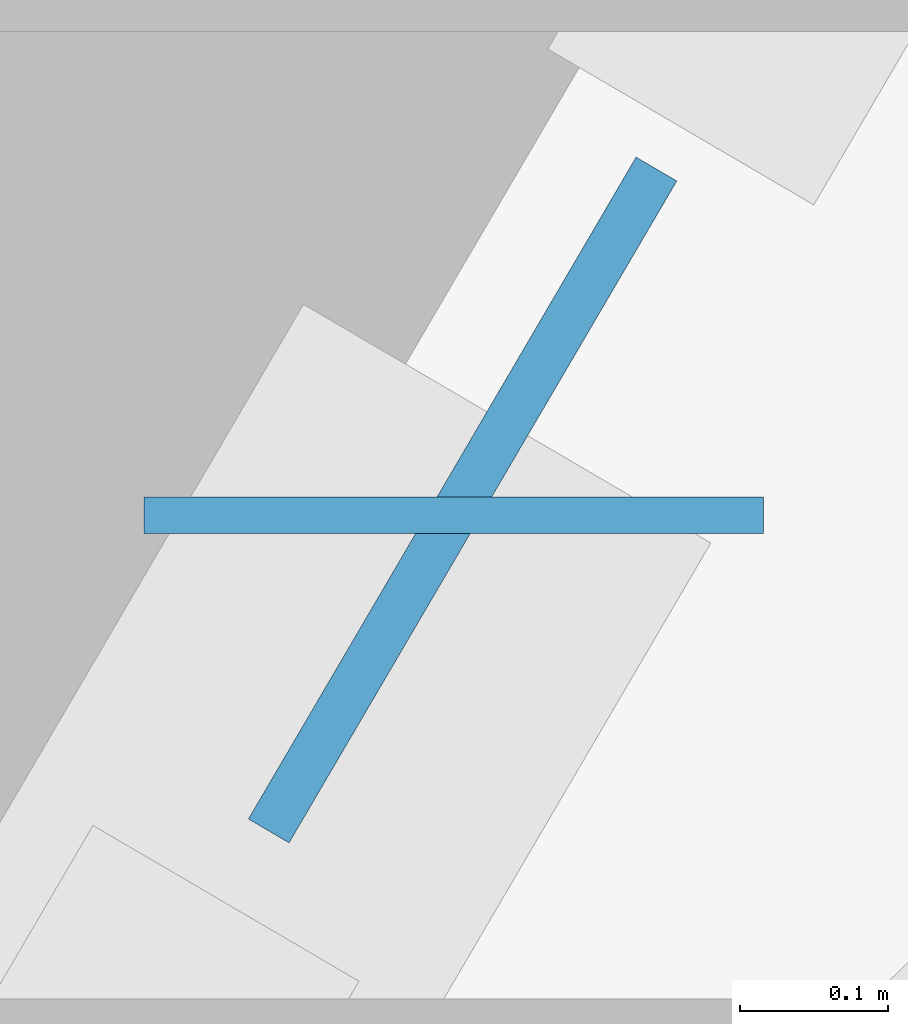
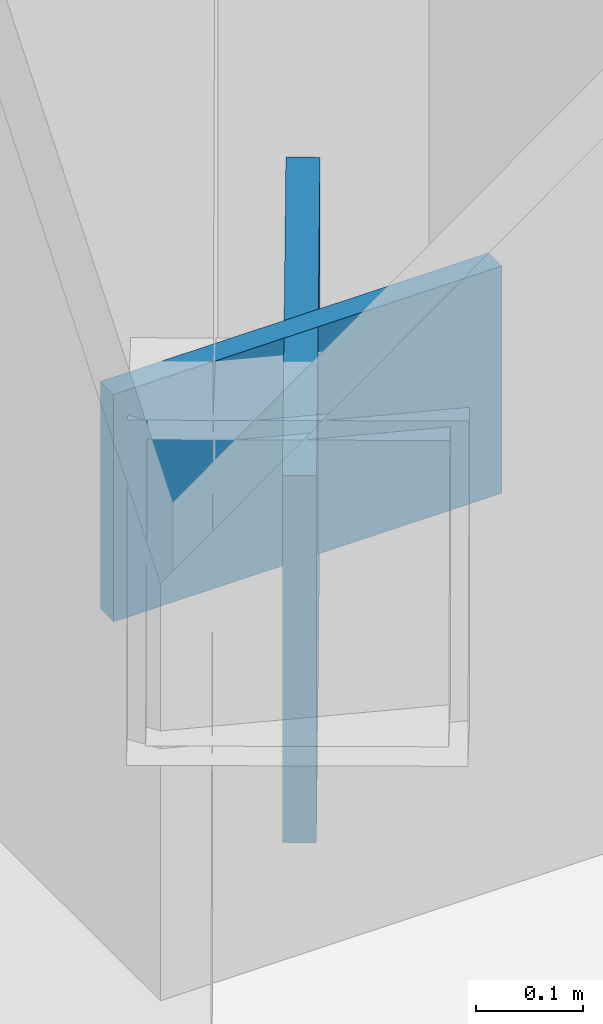
# One storey, part 5 of 12: 2 plates.
"""IFC4 building model written with IfcOpenShell, lengths in metres."""

from ifc_helpers import new_model, si_unit, direction, frame, origin, origin_2d, place, context, subcontext, project, spatial, rectangle, extrude, material, layer, layer_set, type_object, element, save


model = new_model("IFC4")

# Units and contexts
model_context = context("Model", 3, precision=1e-05, world=origin(), true_north=direction((0.0, 1.0)))
body_context = subcontext(model_context, "Body", "Model", "MODEL_VIEW")
ifc_project = project(units=[si_unit("LENGTHUNIT", "METRE"), si_unit("AREAUNIT", "SQUARE_METRE"), si_unit("VOLUMEUNIT", "CUBIC_METRE"), si_unit("PLANEANGLEUNIT", "RADIAN"), si_unit("MASSUNIT", "GRAM", prefix="KILO")], contexts=[model_context])

# Site, building, storey
site_placement = place(None, origin())
site = spatial("IfcSite", under=ifc_project, at=site_placement, CompositionType="ELEMENT")
building_placement = place(site_placement, origin())
building = spatial("IfcBuilding", under=site, at=building_placement, Name="Kavelnor Concourse Tower", CompositionType="ELEMENT")
storey_placement = place(building_placement, frame((0.0, 0.0, 143.25)))
storey = spatial("IfcBuildingStorey", under=building, at=storey_placement, Name="L36", CompositionType="ELEMENT", Elevation=143.25)

# Plates
ifc_material = material(Name="Steel Grade 350", Category="steel")
ifc_layer_1 = layer(ifc_material, 0.031982421875, Name="Steel Grade 350")
ifc_layer_set_1 = layer_set([ifc_layer_1], Name="Steel Grade 350")
plate_type_1 = type_object("IfcPlateType", Name="PL-GUSSET-TUBE-Z1", PredefinedType="USERDEFINED", material=ifc_layer_set_1)
plate_1_placement = place(storey_placement, frame((23.0986328125, 28.234619140625, 0.010009765625), z_axis=(0.0, 0.0, 1.0), x_axis=(-0.505431492718, -0.862866737202, 0.0)))
element("IfcPlate", 1, at=plate_1_placement, inside=storey, type_object=plate_type_1, Name="L36 Tube Brace Gusset GP3 F0-B3 End Gusset A", ObjectType="GUSSET_PLATE", PredefinedType="USERDEFINED", context=body_context, shape_type="SweptSolid", body=[
    extrude(rectangle(XDim=0.52001953125, YDim=0.031982421875, at=origin_2d()), origin(), (0.0, 0.0, 1.0), 0.419921875),
])
ifc_layer_2 = layer(ifc_material, 0.02490234375, Name="Steel Grade 350")
ifc_layer_set_2 = layer_set([ifc_layer_2], Name="Steel Grade 350")
plate_type_2 = type_object("IfcPlateType", Name="PL-SPLICE-FLANGE", PredefinedType="SHEET", material=ifc_layer_set_2)
plate_2_placement = place(storey_placement, frame((23.092529296875, 28.224365234375, 0.169921875), z_axis=(0.0, 0.0, 1.0), x_axis=(1.0, 0.0, 0.0)))
element("IfcPlate", 2, at=plate_2_placement, inside=storey, type_object=plate_type_2, Name="L36 Column Flange Splice Plate F0-B3", PredefinedType="SHEET", context=body_context, shape_type="SweptSolid", body=[
    extrude(rectangle(XDim=0.419921875, YDim=0.02490234375, at=origin_2d()), origin(), (0.0, 0.0, 1.0), 0.260009765625),
])

save(model, "model.ifc")
